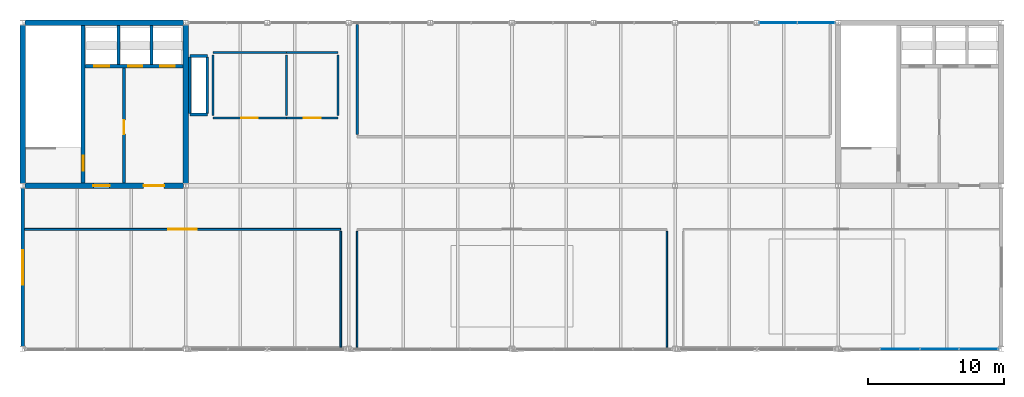
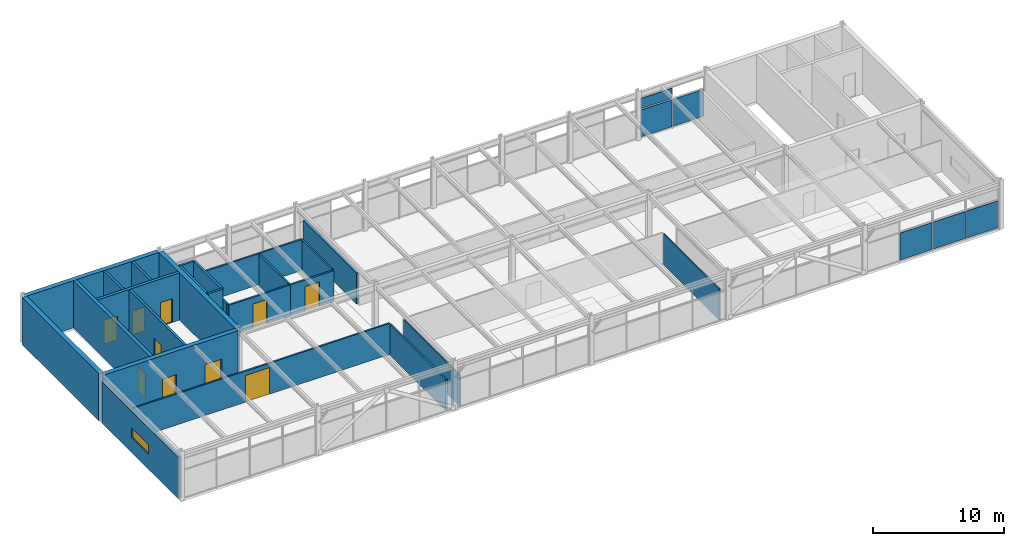
# One storey, part 26 of 28: 26 walls, 10 doors, 6 plates, 1 window, 11 openings, 2 elements without a shape of their own.
"""IFC4 building model written with IfcOpenShell, lengths in metres."""

import ifcopenshell
import ifcopenshell.guid

model = None  # the IFC model being written
_history = None  # IfcOwnerHistory: only IFC2X3 demands one
_inside = {}  # id of a spatial element -> (the spatial element, [elements in it])
_under = {}  # id of a project, library or spatial element -> (it, [spatial elements below it])
_declared = {}  # id of a project -> (the project, [libraries it declares])
_typed = {}  # id of a type object -> (the type object, [elements of that type])
_made_of = {}  # id of a material, layer set ... -> (it, [elements and type objects made of it])


def new_model(schema):
    """Start an empty IFC model of exactly this schema.

    Asked for "IFC4X3", IfcOpenShell would pick the latest addendum, in which some entities
    have other attributes; the version numbers below select the first issue.
    IFC2X3 requires an IfcOwnerHistory on every rooted entity: one is made here for all.
    """
    global model, _history
    if schema == "IFC4X3":
        model = ifcopenshell.file(schema_version=(4, 3, 0, 0))
    else:
        model = ifcopenshell.file(schema=schema)
    _inside.clear()
    _under.clear()
    _declared.clear()
    _typed.clear()
    _made_of.clear()
    _history = None
    if model.schema == "IFC2X3":
        org = make("IfcOrganization", Name="unknown")
        user = make(
            "IfcPersonAndOrganization",
            ThePerson=make("IfcPerson", FamilyName="unknown"),
            TheOrganization=org,
        )
        app = make(
            "IfcApplication",
            ApplicationDeveloper=org,
            Version="unknown",
            ApplicationFullName="unknown",
            ApplicationIdentifier="unknown",
        )
        _history = make(
            "IfcOwnerHistory",
            OwningUser=user,
            OwningApplication=app,
            ChangeAction="ADDED",
            CreationDate=0,
        )
    return model


def make(cls, **values):
    """One entity of the class cls with the attributes given. An attribute that is None is left unset."""
    return model.create_entity(
        cls, **{name: value for name, value in values.items() if value is not None}
    )


def rooted(cls, **values):
    """An entity with a GlobalId (a new one), such as an element, a storey or a relation."""
    return make(cls, GlobalId=ifcopenshell.guid.new(), OwnerHistory=_history, **values)


def si_unit(unit_type, name, prefix=None):
    """IfcSIUnit, for example si_unit("LENGTHUNIT", "METRE", prefix="MILLI")."""
    return make("IfcSIUnit", UnitType=unit_type, Prefix=prefix, Name=name)


def assignment(units):
    """IfcUnitAssignment: the units of a project."""
    return None if units is None else make("IfcUnitAssignment", Units=units)


def point(xyz):
    """IfcCartesianPoint."""
    return None if xyz is None else make("IfcCartesianPoint", Coordinates=xyz)


def direction(xyz):
    """IfcDirection."""
    return None if xyz is None else make("IfcDirection", DirectionRatios=xyz)


def frame(location, z_axis=None, x_axis=None):
    """IfcAxis2Placement3D, a coordinate frame: its origin and axes. An axis left out is left unset."""
    return make(
        "IfcAxis2Placement3D",
        Location=point(location),
        Axis=direction(z_axis),
        RefDirection=direction(x_axis),
    )


def frame_2d(location, x_axis=None):
    """IfcAxis2Placement2D, a coordinate frame in the plane: its origin and x axis."""
    return make(
        "IfcAxis2Placement2D", Location=point(location), RefDirection=direction(x_axis)
    )


def origin():
    """The frame at (0, 0, 0) with its axes left unset."""
    return frame((0.0, 0.0, 0.0))


def origin_2d():
    """The frame at (0, 0) in the plane with its x axis left unset."""
    return frame_2d((0.0, 0.0))


def place(relative_to, where):
    """IfcLocalPlacement: puts the frame where relative to a parent placement (None: the world)."""
    return make(
        "IfcLocalPlacement", PlacementRelTo=relative_to, RelativePlacement=where
    )


def context(
    kind, dimensions, precision=None, world=None, true_north=None, identifier=None
):
    """IfcGeometricRepresentationContext, for example the 3D "Model" context."""
    return make(
        "IfcGeometricRepresentationContext",
        ContextIdentifier=identifier,
        ContextType=kind,
        CoordinateSpaceDimension=dimensions,
        Precision=precision,
        WorldCoordinateSystem=world,
        TrueNorth=true_north,
    )


def subcontext(parent, identifier, kind, view, scale=None):
    """IfcGeometricRepresentationSubContext, for example "Body" below "Model"."""
    return make(
        "IfcGeometricRepresentationSubContext",
        ContextIdentifier=identifier,
        ContextType=kind,
        ParentContext=parent,
        TargetScale=scale,
        TargetView=view,
    )


def project(units=None, contexts=None):
    """IfcProject with its units and contexts."""
    return rooted(
        "IfcProject",
        Name="project",
        RepresentationContexts=contexts,
        UnitsInContext=assignment(units),
    )


def spatial(cls, under=None, at=None, **own):
    """A site, building, storey or space (cls), placed at a placement, below another one or the project."""
    s = rooted(cls, ObjectPlacement=at, **own)
    if under is not None:
        _under.setdefault(under.id(), (under, []))[1].append(s)
    return s


def profile(cls, at=None, kind="AREA", **sizes):
    """A parametric profile (cls). Its sizes go by their IFC names, for example OverallWidth=200.0."""
    return make(cls, ProfileType=kind, Position=at, **sizes)


def rectangle(**sizes):
    """IfcRectangleProfileDef."""
    return profile("IfcRectangleProfileDef", **sizes)


def extrude(swept, where, along, depth):
    """IfcExtrudedAreaSolid: the profile swept, set in the frame where, extruded along a direction by depth."""
    return make(
        "IfcExtrudedAreaSolid",
        SweptArea=swept,
        Position=where,
        ExtrudedDirection=direction(along),
        Depth=depth,
    )


def shape(context_of_items, identifier, shape_type, items):
    """IfcShapeRepresentation: the items that make up one representation, for example the "Body"."""
    return make(
        "IfcShapeRepresentation",
        ContextOfItems=context_of_items,
        RepresentationIdentifier=identifier,
        RepresentationType=shape_type,
        Items=items,
    )


def material(Name=None, Category=None):
    """IfcMaterial."""
    return make("IfcMaterial", Name=Name, Category=Category)


def layer(
    of_material, thickness, ventilated=None, Name=None, Category=None, Priority=None
):
    """IfcMaterialLayer: one layer of a wall or slab, of a material (None: an air gap)."""
    return make(
        "IfcMaterialLayer",
        Material=of_material,
        LayerThickness=thickness,
        IsVentilated=ventilated,
        Name=Name,
        Category=Category,
        Priority=Priority,
    )


def layer_set(layers, Name=None):
    """IfcMaterialLayerSet."""
    return make("IfcMaterialLayerSet", MaterialLayers=layers, LayerSetName=Name)


def made_of(thing, what):
    """Note that an element or type object is made of a material, layer set ...; save() writes the relation."""
    if what is not None:
        _made_of.setdefault(what.id(), (what, []))[1].append(thing)
    return thing


def type_object(cls, material=None, **own):
    """A type object (cls), such as IfcWallType, which elements share."""
    return made_of(rooted(cls, **own), material)


def element(
    cls,
    number,
    at=None,
    inside=None,
    cuts=None,
    type_object=None,
    material=None,
    context=None,
    identifier="Body",
    shape_type=None,
    held_by="IfcProductDefinitionShape",
    body=None,
    shapes=None,
    **own,
):
    """One element of the class cls, such as IfcWall. Its Tag is "e" and its number.

    at: its placement. inside: the storey or other place that contains it. cuts: it is an
    opening in that element (IfcRelVoidsElement). A single representation is given by context,
    identifier, shape_type and body (its items); several are given by shapes. held_by: the class
    of the entity that holds the representations. save() writes the other relations.
    """
    e = rooted(cls, Tag="e%d" % number, ObjectPlacement=at, **own)
    if body is not None:
        shapes = [shape(context, identifier, shape_type, body)]
    if shapes is not None:
        e.Representation = make(held_by, Representations=shapes)
    if inside is not None:
        _inside.setdefault(inside.id(), (inside, []))[1].append(e)
    if cuts is not None:
        rooted(
            "IfcRelVoidsElement", RelatingBuildingElement=cuts, RelatedOpeningElement=e
        )
    if type_object is not None:
        _typed.setdefault(type_object.id(), (type_object, []))[1].append(e)
    return made_of(e, material)


def fill(opening, filler):
    """IfcRelFillsElement: the door or window that sits in an opening."""
    return rooted(
        "IfcRelFillsElement",
        RelatingOpeningElement=opening,
        RelatedBuildingElement=filler,
    )


def aggregate(whole, parts):
    """IfcRelAggregates: a whole, such as a stair, and the parts it consists of."""
    return rooted("IfcRelAggregates", RelatingObject=whole, RelatedObjects=parts)


def save(model, path):
    """Write the relations noted so far, then the file.

    IfcRelAggregates (storeys below a building ...), IfcRelContainedInSpatialStructure (elements
    in a storey), IfcRelDefinesByType, IfcRelAssociatesMaterial and IfcRelDeclares: one each for
    every whole, place, type object, material and project.
    """
    for whole, parts in _under.values():
        aggregate(whole, parts)
    for where, things in _inside.values():
        rooted(
            "IfcRelContainedInSpatialStructure",
            RelatedElements=things,
            RelatingStructure=where,
        )
    for kind, things in _typed.values():
        rooted("IfcRelDefinesByType", RelatedObjects=things, RelatingType=kind)
    for what, things in _made_of.values():
        rooted("IfcRelAssociatesMaterial", RelatedObjects=things, RelatingMaterial=what)
    for by, libraries in _declared.values():
        rooted("IfcRelDeclares", RelatingContext=by, RelatedDefinitions=libraries)
    model.write(path)


model = new_model("IFC4")

# Units and contexts
model_context = context("Model", 3, precision=1e-05, world=origin(), true_north=direction((0.0, 1.0)))
body_context = subcontext(model_context, "Body", "Model", "MODEL_VIEW")
ifc_project = project(units=[si_unit("LENGTHUNIT", "METRE"), si_unit("AREAUNIT", "SQUARE_METRE"), si_unit("VOLUMEUNIT", "CUBIC_METRE"), si_unit("PLANEANGLEUNIT", "RADIAN"), si_unit("MASSUNIT", "GRAM", prefix="KILO")], contexts=[model_context])

# Site, building, storey
site_placement = place(None, origin())
site = spatial("IfcSite", under=ifc_project, at=site_placement, CompositionType="ELEMENT")
building_placement = place(site_placement, origin())
building = spatial("IfcBuilding", under=site, at=building_placement, Name="Girod Span Mobility Hub", CompositionType="ELEMENT")
storey_placement = place(building_placement, frame((0.0, 0.0, 69.60009765625)))
storey = spatial("IfcBuildingStorey", under=building, at=storey_placement, Name="L17", CompositionType="ELEMENT", Elevation=69.60009765625)

# Curtain wall, plates
ifc_material_1 = material(Name="Thermally Broken Anodised Aluminium", Category="aluminium")
curtain_wall_type_1 = type_object("IfcCurtainWallType", Name="CW-564X384", PredefinedType="USERDEFINED", material=ifc_material_1)
curtain_wall_1_placement = place(storey_placement, origin())
curtain_wall_1 = element("IfcCurtainWall", 1, at=curtain_wall_1_placement, inside=storey, type_object=curtain_wall_type_1, Name="Unitised Curtain Wall CW-L17-N09E L17", ObjectType="UNITISED CURTAIN WALL", PredefinedType="USERDEFINED")
ifc_material_2 = material(Name="Double Low-E Insulated Glazing", Category="glass")
ifc_layer_1 = layer(ifc_material_2, 0.05810546875)
ifc_layer_set_1 = layer_set([ifc_layer_1], Name="Double Low-E Insulated Glazing")
plate_type_1 = type_object("IfcPlateType", Name="PLT-SPN-2748X994X58", PredefinedType="CURTAIN_PANEL", material=ifc_layer_set_1)
plate_1_placement = place(storey_placement, frame((103.59130859375, 69.0, 2.76171875), z_axis=(0.0, 0.0, 1.0), x_axis=(1.0, 0.0, 0.0)))
plate_1 = element("IfcPlate", 2, at=plate_1_placement, type_object=plate_type_1, Name="Spandrel Glazing Panel CW-L17-N09E-S1", PredefinedType="CURTAIN_PANEL", context=body_context, shape_type="SweptSolid", body=[
    extrude(rectangle(XDim=2.75341796875, YDim=0.05810546875, at=origin_2d()), origin(), (0.0, 0.0, 1.0), 0.9541015625),
])
ifc_material_3 = material(Name="Double Low-E Insulated Glazing", Category="glass")
ifc_layer_2 = layer(ifc_material_3, 0.0458984375)
ifc_layer_set_2 = layer_set([ifc_layer_2], Name="Double Low-E Insulated Glazing")
plate_type_2 = type_object("IfcPlateType", Name="PLT-VIS-2748X2762X46", PredefinedType="CURTAIN_PANEL", material=ifc_layer_set_2)
plate_2_placement = place(storey_placement, frame((103.59130859375, 69.0, 0.139892578125), z_axis=(0.0, 0.0, 1.0), x_axis=(1.0, 0.0, 0.0)))
plate_2 = element("IfcPlate", 3, at=plate_2_placement, type_object=plate_type_2, Name="Vision Glazing Panel CW-L17-N09E-V1", PredefinedType="CURTAIN_PANEL", context=body_context, shape_type="SweptSolid", body=[
    extrude(rectangle(XDim=2.75341796875, YDim=0.0458984375, at=origin_2d()), origin(), (0.0, 0.0, 1.0), 2.501953125),
])
plate_3_placement = place(storey_placement, frame((106.40869140625, 69.0, 0.139892578125), z_axis=(0.0, 0.0, 1.0), x_axis=(1.0, 0.0, 0.0)))
plate_3 = element("IfcPlate", 4, at=plate_3_placement, type_object=plate_type_2, Name="Vision Glazing Panel CW-L17-N09E-V2", PredefinedType="CURTAIN_PANEL", context=body_context, shape_type="SweptSolid", body=[
    extrude(rectangle(XDim=2.75341796875, YDim=0.0458984375, at=origin_2d()), origin(), (0.0, 0.0, 1.0), 2.501953125),
])
aggregate(curtain_wall_1, [plate_2, plate_1, plate_3])

ifc_material_4 = material(Name="Thermally Broken Anodised Aluminium", Category="aluminium")
curtain_wall_type_2 = type_object("IfcCurtainWallType", Name="CW-1164X384", PredefinedType="USERDEFINED", material=ifc_material_4)
curtain_wall_2_placement = place(storey_placement, origin())
curtain_wall_2 = element("IfcCurtainWall", 5, at=curtain_wall_2_placement, inside=storey, type_object=curtain_wall_type_2, Name="Unitised Curtain Wall CW-L17-S10 L17", ObjectType="UNITISED CURTAIN WALL", PredefinedType="USERDEFINED")
ifc_material_5 = material(Name="Double Low-E Insulated Glazing", Category="glass")
ifc_layer_3 = layer(ifc_material_5, 0.0458984375)
ifc_layer_set_3 = layer_set([ifc_layer_3], Name="Double Low-E Insulated Glazing")
plate_type_3 = type_object("IfcPlateType", Name="PLT-VIS-2839X2762X46", PredefinedType="CURTAIN_PANEL", material=ifc_layer_set_3)
plate_4_placement = place(storey_placement, frame((112.545654296875, 45.0, 0.139892578125), z_axis=(0.0, 0.0, 1.0), x_axis=(1.0, 0.0, 0.0)))
plate_4 = element("IfcPlate", 6, at=plate_4_placement, type_object=plate_type_3, Name="Vision Glazing Panel CW-L17-S10-V2", PredefinedType="CURTAIN_PANEL", context=body_context, shape_type="SweptSolid", body=[
    extrude(rectangle(XDim=2.8447265625, YDim=0.0458984375, at=origin_2d()), origin(), (0.0, 0.0, 1.0), 2.501953125),
])
plate_5_placement = place(storey_placement, frame((115.454345703125, 45.0, 0.139892578125), z_axis=(0.0, 0.0, 1.0), x_axis=(1.0, 0.0, 0.0)))
plate_5 = element("IfcPlate", 7, at=plate_5_placement, type_object=plate_type_3, Name="Vision Glazing Panel CW-L17-S10-V3", PredefinedType="CURTAIN_PANEL", context=body_context, shape_type="SweptSolid", body=[
    extrude(rectangle(XDim=2.8447265625, YDim=0.0458984375, at=origin_2d()), origin(), (0.0, 0.0, 1.0), 2.501953125),
])
plate_6_placement = place(storey_placement, frame((118.363037109375, 45.0, 0.139892578125), z_axis=(0.0, 0.0, 1.0), x_axis=(1.0, 0.0, 0.0)))
plate_6 = element("IfcPlate", 8, at=plate_6_placement, type_object=plate_type_3, Name="Vision Glazing Panel CW-L17-S10-V4", PredefinedType="CURTAIN_PANEL", context=body_context, shape_type="SweptSolid", body=[
    extrude(rectangle(XDim=2.8447265625, YDim=0.0458984375, at=origin_2d()), origin(), (0.0, 0.0, 1.0), 2.501953125),
])
aggregate(curtain_wall_2, [plate_4, plate_5, plate_6])

# Wall, openings, doors
ifc_material_6 = material(Name="Concrete C40/50", Category="concrete")
ifc_layer_4 = layer(ifc_material_6, 0.39990234375)
ifc_layer_set_4 = layer_set([ifc_layer_4], Name="Concrete C40/50")
wall_type_1 = type_object("IfcWallType", Name="W-CW-400", PredefinedType="SHEAR", material=ifc_layer_set_4)
wall_1_placement = place(storey_placement, frame((48.181396484375, 57.0, 0.0), z_axis=(0.0, 0.0, 1.0), x_axis=(1.0, 0.0, 0.0)))
wall_1 = element("IfcWall", 9, at=wall_1_placement, inside=storey, type_object=wall_type_1, Name="Core C1 Shear Wall S L17", PredefinedType="SHEAR", context=body_context, shape_type="SweptSolid", body=[
    extrude(rectangle(XDim=11.63720703125, YDim=0.39990234375, at=frame_2d((5.818603515625, 0.0))), origin(), (0.0, 0.0, 1.0), 4.3828125),
])
opening_1_placement = place(wall_1_placement, frame((5.01904296875, 0.0, 0.0)))
opening_1 = element("IfcOpeningElement", 10, at=opening_1_placement, cuts=wall_1, Name="Opening D-FL-C1-L17", PredefinedType="OPENING", context=body_context, shape_type="SweptSolid", body=[
    extrude(rectangle(XDim=1.199951171875, YDim=2.199951171875, at=frame_2d((0.60009765625, 1.10009765625))), frame((0.0, 0.21484375, 0.0), z_axis=(0.0, -1.0, 0.0), x_axis=(1.0, 0.0, 0.0)), (0.0, 0.0, 1.0), 0.429931640625),
])
opening_2_placement = place(wall_1_placement, frame((8.718017578125, 0.0, 0.0)))
opening_2 = element("IfcOpeningElement", 11, at=opening_2_placement, cuts=wall_1, Name="Opening D-LB-C1-L17", PredefinedType="OPENING", context=body_context, shape_type="SweptSolid", body=[
    extrude(rectangle(XDim=1.5, YDim=2.25, at=frame_2d((0.75, 1.125))), frame((0.0, 0.21484375, 0.0), z_axis=(0.0, -1.0, 0.0), x_axis=(1.0, 0.0, 0.0)), (0.0, 0.0, 1.0), 0.429931640625),
])
ifc_material_7 = material(Name="Fire-Rated Insulated Hollow Metal Steel", Category="steel")
door_type_1 = type_object("IfcDoorType", Name="DT-FD-03", OperationType="DOUBLE_DOOR_SINGLE_SWING", PredefinedType="DOOR", material=ifc_material_7)
door_1_placement = place(opening_2_placement, origin())
door_1 = element("IfcDoor", 12, at=door_1_placement, inside=storey, type_object=door_type_1, Name="Lift Lobby Entry Door C1 L17", OperationType="DOUBLE_DOOR_SINGLE_SWING", OverallHeight=2.25, OverallWidth=1.5, PredefinedType="DOOR", context=body_context, shape_type="SweptSolid", body=[
    extrude(rectangle(XDim=1.5, YDim=2.25, at=frame_2d((0.75, 1.125))), frame((0.0, 0.02490234375, 0.0), z_axis=(0.0, -1.0, 0.0), x_axis=(1.0, 0.0, 0.0)), (0.0, 0.0, 1.0), 0.050048828125),
])
fill(opening_2, door_1)
ifc_material_8 = material(Name="Fire-Rated Insulated Hollow Metal Steel", Category="steel")
door_type_2 = type_object("IfcDoorType", Name="DT-FD-05", OperationType="NOTDEFINED", PredefinedType="DOOR", material=ifc_material_8)
door_2_placement = place(opening_1_placement, origin())
door_2 = element("IfcDoor", 13, at=door_2_placement, inside=storey, type_object=door_type_2, Name="Firefighting Lobby Entry Door C1 L17", OperationType="SINGLE_SWING_RIGHT", OverallHeight=2.199951171875, OverallWidth=1.199951171875, PredefinedType="DOOR", context=body_context, shape_type="SweptSolid", body=[
    extrude(rectangle(XDim=1.199951171875, YDim=2.199951171875, at=frame_2d((0.60009765625, 1.10009765625))), frame((0.0, 0.02490234375, 0.0), z_axis=(0.0, -1.0, 0.0), x_axis=(1.0, 0.0, 0.0)), (0.0, 0.0, 1.0), 0.050048828125),
])
fill(opening_1, door_2)

# Walls
wall_2_placement = place(storey_placement, frame((48.181396484375, 69.0, 0.0), z_axis=(0.0, 0.0, 1.0), x_axis=(1.0, 0.0, 0.0)))
element("IfcWall", 14, at=wall_2_placement, inside=storey, type_object=wall_type_1, Name="Core C1 Shear Wall N L17", PredefinedType="SHEAR", context=body_context, shape_type="SweptSolid", body=[
    extrude(rectangle(XDim=11.63720703125, YDim=0.39990234375, at=frame_2d((5.818603515625, 0.0))), origin(), (0.0, 0.0, 1.0), 4.3828125),
])
for number, where, z_axis, x_axis, name in (
    (15, (48.0, 57.175048828125, 0.0), (0.0, 0.0, 1.0), (0.0, 1.0, 0.0), "Core C1 Shear Wall W L17"),
    (16, (60.0, 57.175048828125, 0.0), (0.0, 0.0, 1.0), (0.0, 1.0, 0.0), "Core C1 Shear Wall E L17"),
):
    element("IfcWall", number, at=place(storey_placement, frame(where, z_axis=z_axis, x_axis=x_axis)), inside=storey, type_object=wall_type_1, Name=name, PredefinedType="SHEAR", context=body_context, shape_type="SweptSolid", body=[
        extrude(rectangle(XDim=11.64990234375, YDim=0.39990234375, at=frame_2d((5.824951171875, 0.0))), origin(), (0.0, 0.0, 1.0), 4.3828125),
    ])

# Wall, opening, window
ifc_material_9 = material(Name="Precast Architectural Concrete C40/50", Category="concrete")
ifc_layer_5 = layer(ifc_material_9, 0.27001953125)
ifc_layer_set_5 = layer_set([ifc_layer_5], Name="Precast Architectural Concrete C40/50")
wall_type_2 = type_object("IfcWallType", Name="W-EXT-270", PredefinedType="SOLIDWALL", material=ifc_layer_set_5)
wall_3_placement = place(storey_placement, frame((48.0, 45.176025390625, 0.0), z_axis=(0.0, 0.0, 1.0), x_axis=(0.0, 1.0, 0.0)))
wall_3 = element("IfcWall", 17, at=wall_3_placement, inside=storey, type_object=wall_type_2, Name="End Facade Insulated Wall W-D L17", PredefinedType="SOLIDWALL", context=body_context, shape_type="SweptSolid", body=[
    extrude(rectangle(XDim=11.64794921875, YDim=0.27001953125, at=frame_2d((5.823974609375, 0.0))), origin(), (0.0, 0.0, 1.0), 3.8359375),
])
opening_3_placement = place(wall_3_placement, frame((4.549072265625, 0.0, 1.39990234375)))
opening_3 = element("IfcOpeningElement", 18, at=opening_3_placement, cuts=wall_3, Name="Opening W-L17-W3", PredefinedType="OPENING", context=body_context, shape_type="SweptSolid", body=[
    extrude(rectangle(XDim=2.550048828125, YDim=0.8798828125, at=frame_2d((1.27490234375, 0.43994140625))), frame((0.0, 0.14990234375, 0.0), z_axis=(0.0, -1.0, 0.0), x_axis=(1.0, 0.0, 0.0)), (0.0, 0.0, 1.0), 0.300048828125),
])
ifc_material_10 = material(Name="Double Low-E Insulated Glazing", Category="glass")
window_type = type_object("IfcWindowType", Name="WN-46", PartitioningType="DOUBLE_PANEL_VERTICAL", PredefinedType="USERDEFINED", material=ifc_material_10)
window_placement = place(opening_3_placement, origin())
window = element("IfcWindow", 19, at=window_placement, inside=storey, type_object=window_type, Name="End Office Window WN-46", ObjectType="TRANSOM LIGHT", OverallHeight=0.8798828125, OverallWidth=2.550048828125, PartitioningType="DOUBLE_PANEL_VERTICAL", PredefinedType="USERDEFINED", context=body_context, shape_type="SweptSolid", body=[
    extrude(rectangle(XDim=2.550048828125, YDim=0.8798828125, at=frame_2d((1.27490234375, 0.43994140625))), frame((0.0, 0.030029296875, 0.0), z_axis=(0.0, -1.0, 0.0), x_axis=(1.0, 0.0, 0.0)), (0.0, 0.0, 1.0), 0.06005859375),
])
fill(opening_3, window)

# Wall, opening, door
ifc_material_11 = material(Name="Concrete C40/50", Category="concrete")
ifc_layer_6 = layer(ifc_material_11, 0.18994140625)
ifc_layer_set_6 = layer_set([ifc_layer_6], Name="Concrete C40/50")
wall_type_3 = type_object("IfcWallType", Name="W-FL-190", PredefinedType="SOLIDWALL", material=ifc_layer_set_6)
wall_4_placement = place(storey_placement, frame((55.449951171875, 57.199951171875, 0.0), z_axis=(0.0, 0.0, 1.0), x_axis=(0.0, 1.0, 0.0)))
wall_4 = element("IfcWall", 20, at=wall_4_placement, inside=storey, type_object=wall_type_3, Name="Core C1 Firefighting Lobby Wall L17", PredefinedType="SOLIDWALL", context=body_context, shape_type="SweptSolid", body=[
    extrude(rectangle(XDim=8.47998046875, YDim=0.18994140625, at=frame_2d((4.239990234375, 0.0))), origin(), (0.0, 0.0, 1.0), 4.372802734375),
])
opening_4_placement = place(wall_4_placement, frame((3.60009765625, 0.0, 0.0)))
opening_4 = element("IfcOpeningElement", 21, at=opening_4_placement, cuts=wall_4, Name="Opening D-FLX-C1-L17", PredefinedType="OPENING", context=body_context, shape_type="SweptSolid", body=[
    extrude(rectangle(XDim=1.0400390625, YDim=2.179931640625, at=frame_2d((0.52001953125, 1.08984375))), frame((0.0, 0.10986328125, 0.0), z_axis=(0.0, -1.0, 0.0), x_axis=(1.0, 0.0, 0.0)), (0.0, 0.0, 1.0), 0.219970703125),
])
ifc_material_12 = material(Name="Fire-Rated Insulated Hollow Metal Steel", Category="steel")
door_type_3 = type_object("IfcDoorType", Name="DT-FD-02", OperationType="NOTDEFINED", PredefinedType="DOOR", material=ifc_material_12)
door_3_placement = place(opening_4_placement, origin())
door_3 = element("IfcDoor", 22, at=door_3_placement, inside=storey, type_object=door_type_3, Name="Firefighting Lobby Interconnect Door C1 L17", OperationType="SINGLE_SWING_RIGHT", OverallHeight=2.179931640625, OverallWidth=1.0400390625, PredefinedType="DOOR", context=body_context, shape_type="SweptSolid", body=[
    extrude(rectangle(XDim=1.0400390625, YDim=2.179931640625, at=frame_2d((0.52001953125, 1.08984375))), frame((0.0, 0.02490234375, 0.0), z_axis=(0.0, -1.0, 0.0), x_axis=(1.0, 0.0, 0.0)), (0.0, 0.0, 1.0), 0.050048828125),
])
fill(opening_4, door_3)

# Walls
ifc_material_13 = material(Name="Reinforced Concrete Masonry Block", Category="masonry")
ifc_layer_7 = layer(ifc_material_13, 0.179931640625)
ifc_layer_set_7 = layer_set([ifc_layer_7], Name="Reinforced Concrete Masonry Block")
wall_type_4 = type_object("IfcWallType", Name="W-FP-180", PredefinedType="SOLIDWALL", material=ifc_layer_set_7)
wall_5_placement = place(storey_placement, frame((72.60009765625, 60.760009765625, 0.0), z_axis=(0.0, 0.0, 1.0), x_axis=(0.0, 1.0, 0.0)))
element("IfcWall", 23, at=wall_5_placement, inside=storey, type_object=wall_type_4, Name="Chiller Plant Penthouse Mechanical Partition W", PredefinedType="SOLIDWALL", context=body_context, shape_type="SweptSolid", body=[
    extrude(rectangle(XDim=8.10009765625, YDim=0.179931640625, at=frame_2d((4.050048828125, 0.0))), origin(), (0.0, 0.0, 1.0), 2.8798828125),
])
ifc_material_14 = material(Name="Gypsum Acoustic Operable Panel on Galvanised Steel Framing", Category="steel")
ifc_layer_8 = layer(ifc_material_14, 0.10791015625)
ifc_layer_set_8 = layer_set([ifc_layer_8], Name="Gypsum Acoustic Operable Panel on Galvanised Steel Framing")
wall_type_5 = type_object("IfcWallType", Name="W-MOV-108", PredefinedType="MOVABLE", material=ifc_layer_set_8)
for number, where, z_axis, x_axis, name in (
    (24, (72.60009765625, 45.139892578125, 0.0), (0.0, 0.0, 1.0), (0.0, 1.0, 0.0), "Boardroom Civic Mobility Commission Partition W"),
    (25, (95.39990234375, 45.139892578125, 0.0), (0.0, 0.0, 1.0), (0.0, 1.0, 0.0), "Boardroom Civic Mobility Commission Partition E"),
):
    element("IfcWall", number, at=place(storey_placement, frame(where, z_axis=z_axis, x_axis=x_axis)), inside=storey, type_object=wall_type_5, Name=name, PredefinedType="MOVABLE", context=body_context, shape_type="SweptSolid", body=[
        extrude(rectangle(XDim=8.5, YDim=0.10791015625, at=frame_2d((4.25, 0.0))), origin(), (0.0, 0.0, 1.0), 2.8798828125),
    ])

# Wall, opening, door
ifc_material_15 = material(Name="Fire-Rated Gypsum Board on Metal Studs", Category="gypsum")
ifc_layer_9 = layer(ifc_material_15, 0.155029296875)
ifc_layer_set_9 = layer_set([ifc_layer_9], Name="Fire-Rated Gypsum Board on Metal Studs")
wall_type_6 = type_object("IfcWallType", Name="W-PLB-155", PredefinedType="PLUMBINGWALL", material=ifc_layer_set_9)
wall_6_placement = place(storey_placement, frame((62.0, 62.0, 0.0), z_axis=(0.0, 0.0, 1.0), x_axis=(1.0, 0.0, 0.0)))
wall_6 = element("IfcWall", 26, at=wall_6_placement, inside=storey, type_object=wall_type_6, Name="Restroom L17 Partition S", PredefinedType="PLUMBINGWALL", context=body_context, shape_type="SweptSolid", body=[
    extrude(rectangle(XDim=5.39990234375, YDim=0.155029296875, at=frame_2d((2.699951171875, 0.0))), origin(), (0.0, 0.0, 1.0), 2.8798828125),
])
opening_5_placement = place(wall_6_placement, frame((2.094970703125, 0.0, 0.0)))
opening_5 = element("IfcOpeningElement", 27, at=opening_5_placement, cuts=wall_6, Name="Opening D-L17-WC-MAIN", PredefinedType="OPENING", context=body_context, shape_type="SweptSolid", body=[
    extrude(rectangle(XDim=1.2099609375, YDim=2.25, at=frame_2d((0.60498046875, 1.125))), frame((0.0, 0.092529296875, 0.0), z_axis=(0.0, -1.0, 0.0), x_axis=(1.0, 0.0, 0.0)), (0.0, 0.0, 1.0), 0.18505859375),
])
ifc_material_16 = material(Name="Solid-Core Architectural Timber", Category="wood")
door_type_4 = type_object("IfcDoorType", Name="DT-NR-08", OperationType="NOTDEFINED", PredefinedType="DOOR", material=ifc_material_16)
door_4_placement = place(opening_5_placement, origin())
door_4 = element("IfcDoor", 28, at=door_4_placement, inside=storey, type_object=door_type_4, Name="Restroom L17 Door", OperationType="SINGLE_SWING_RIGHT", OverallHeight=2.25, OverallWidth=1.2099609375, PredefinedType="DOOR", context=body_context, shape_type="SweptSolid", body=[
    extrude(rectangle(XDim=1.2099609375, YDim=2.25, at=frame_2d((0.60498046875, 1.125))), frame((0.0, 0.02490234375, 0.0), z_axis=(0.0, -1.0, 0.0), x_axis=(1.0, 0.0, 0.0)), (0.0, 0.0, 1.0), 0.050048828125),
])
fill(opening_5, door_4)

# Walls
wall_7_placement = place(storey_placement, frame((62.0, 66.800048828125, 0.0), z_axis=(0.0, 0.0, 1.0), x_axis=(1.0, 0.0, 0.0)))
element("IfcWall", 29, at=wall_7_placement, inside=storey, type_object=wall_type_6, Name="Restroom L17 Partition N", PredefinedType="PLUMBINGWALL", context=body_context, shape_type="SweptSolid", body=[
    extrude(rectangle(XDim=5.39990234375, YDim=0.155029296875, at=frame_2d((2.699951171875, 0.0))), origin(), (0.0, 0.0, 1.0), 2.8798828125),
])
for number, where, z_axis, x_axis, name in (
    (30, (62.0, 62.159912109375, 0.0), (0.0, 0.0, 1.0), (0.0, 1.0, 0.0), "Restroom L17 Partition W"),
    (31, (67.39990234375, 62.159912109375, 0.0), (0.0, 0.0, 1.0), (0.0, 1.0, 0.0), "Restroom L17 Partition E"),
):
    element("IfcWall", number, at=place(storey_placement, frame(where, z_axis=z_axis, x_axis=x_axis)), inside=storey, type_object=wall_type_6, Name=name, PredefinedType="PLUMBINGWALL", context=body_context, shape_type="SweptSolid", body=[
        extrude(rectangle(XDim=4.47998046875, YDim=0.155029296875, at=frame_2d((2.239990234375, 0.0))), origin(), (0.0, 0.0, 1.0), 2.8798828125),
    ])

# Wall, opening, door
wall_8_placement = place(storey_placement, frame((67.39990234375, 62.0, 0.0), z_axis=(0.0, 0.0, 1.0), x_axis=(1.0, 0.0, 0.0)))
wall_8 = element("IfcWall", 32, at=wall_8_placement, inside=storey, type_object=wall_type_6, Name="Accessible WC L17 Partition S", PredefinedType="PLUMBINGWALL", context=body_context, shape_type="SweptSolid", body=[
    extrude(rectangle(XDim=3.800048828125, YDim=0.155029296875, at=frame_2d((1.89990234375, 0.0))), origin(), (0.0, 0.0, 1.0), 2.8798828125),
])
opening_6_placement = place(wall_8_placement, frame((1.264892578125, 0.0, 0.0)))
opening_6 = element("IfcOpeningElement", 33, at=opening_6_placement, cuts=wall_8, Name="Opening D-L17-WC-ACC", PredefinedType="OPENING", context=body_context, shape_type="SweptSolid", body=[
    extrude(rectangle(XDim=1.27001953125, YDim=2.27001953125, at=frame_2d((0.635009765625, 1.135009765625))), frame((0.0, 0.092529296875, 0.0), z_axis=(0.0, -1.0, 0.0), x_axis=(1.0, 0.0, 0.0)), (0.0, 0.0, 1.0), 0.18505859375),
])
ifc_material_17 = material(Name="Solid-Core Architectural Timber", Category="wood")
door_type_5 = type_object("IfcDoorType", Name="DT-NR-09", OperationType="NOTDEFINED", PredefinedType="DOOR", material=ifc_material_17)
door_5_placement = place(opening_6_placement, origin())
door_5 = element("IfcDoor", 34, at=door_5_placement, inside=storey, type_object=door_type_5, Name="Accessible WC L17 Door", OperationType="SINGLE_SWING_LEFT", OverallHeight=2.27001953125, OverallWidth=1.27001953125, PredefinedType="DOOR", context=body_context, shape_type="SweptSolid", body=[
    extrude(rectangle(XDim=1.27001953125, YDim=2.27001953125, at=frame_2d((0.635009765625, 1.135009765625))), frame((0.0, 0.02490234375, 0.0), z_axis=(0.0, -1.0, 0.0), x_axis=(1.0, 0.0, 0.0)), (0.0, 0.0, 1.0), 0.050048828125),
])
fill(opening_6, door_5)

# Walls
wall_9_placement = place(storey_placement, frame((67.39990234375, 66.800048828125, 0.0), z_axis=(0.0, 0.0, 1.0), x_axis=(1.0, 0.0, 0.0)))
element("IfcWall", 35, at=wall_9_placement, inside=storey, type_object=wall_type_6, Name="Accessible WC L17 Partition N", PredefinedType="PLUMBINGWALL", context=body_context, shape_type="SweptSolid", body=[
    extrude(rectangle(XDim=3.800048828125, YDim=0.155029296875, at=frame_2d((1.89990234375, 0.0))), origin(), (0.0, 0.0, 1.0), 2.8798828125),
])
wall_10_placement = place(storey_placement, frame((71.199951171875, 62.159912109375, 0.0), z_axis=(0.0, 0.0, 1.0), x_axis=(0.0, 1.0, 0.0)))
element("IfcWall", 36, at=wall_10_placement, inside=storey, type_object=wall_type_6, Name="Accessible WC L17 Partition E", PredefinedType="PLUMBINGWALL", context=body_context, shape_type="SweptSolid", body=[
    extrude(rectangle(XDim=4.47998046875, YDim=0.155029296875, at=frame_2d((2.239990234375, 0.0))), origin(), (0.0, 0.0, 1.0), 2.8798828125),
])

# Wall, opening, door
ifc_material_18 = material(Name="Fire-Rated Gypsum Board on Metal Studs", Category="gypsum")
ifc_layer_10 = layer(ifc_material_18, 0.139892578125)
ifc_layer_set_10 = layer_set([ifc_layer_10], Name="Fire-Rated Gypsum Board on Metal Studs")
wall_type_7 = type_object("IfcWallType", Name="W-PT-140", PredefinedType="PARTITIONING", material=ifc_layer_set_10)
wall_11_placement = place(storey_placement, frame((48.139892578125, 53.800048828125, 0.0), z_axis=(0.0, 0.0, 1.0), x_axis=(1.0, 0.0, 0.0)))
wall_11 = element("IfcWall", 37, at=wall_11_placement, inside=storey, type_object=wall_type_7, Name="Observatory Lounge Boulevard View Partition N", PredefinedType="PARTITIONING", context=body_context, shape_type="SweptSolid", body=[
    extrude(rectangle(XDim=23.260009765625, YDim=0.139892578125, at=frame_2d((11.6298828125, 0.0))), origin(), (0.0, 0.0, 1.0), 2.8798828125),
])
opening_7_placement = place(wall_11_placement, frame((10.580078125, 0.0, 0.0)))
opening_7 = element("IfcOpeningElement", 38, at=opening_7_placement, cuts=wall_11, Name="Opening D-L17-OBS-W", PredefinedType="OPENING", context=body_context, shape_type="SweptSolid", body=[
    extrude(rectangle(XDim=2.10009765625, YDim=2.469970703125, at=frame_2d((1.050048828125, 1.23486328125))), frame((0.0, 0.0849609375, 0.0), z_axis=(0.0, -1.0, 0.0), x_axis=(1.0, 0.0, 0.0)), (0.0, 0.0, 1.0), 0.169921875),
])
ifc_material_19 = material(Name="Solid-Core Architectural Timber", Category="wood")
door_type_6 = type_object("IfcDoorType", Name="DT-NR-22", OperationType="DOUBLE_DOOR_SINGLE_SWING", PredefinedType="DOOR", material=ifc_material_19)
door_6_placement = place(opening_7_placement, origin())
door_6 = element("IfcDoor", 39, at=door_6_placement, inside=storey, type_object=door_type_6, Name="Observatory Lounge Boulevard View Door", OperationType="DOUBLE_DOOR_SINGLE_SWING", OverallHeight=2.469970703125, OverallWidth=2.10009765625, PredefinedType="DOOR", context=body_context, shape_type="SweptSolid", body=[
    extrude(rectangle(XDim=2.10009765625, YDim=2.469970703125, at=frame_2d((1.050048828125, 1.23486328125))), frame((0.0, 0.02490234375, 0.0), z_axis=(0.0, -1.0, 0.0), x_axis=(1.0, 0.0, 0.0)), (0.0, 0.0, 1.0), 0.050048828125),
])
fill(opening_7, door_6)

# Walls
wall_12_placement = place(storey_placement, frame((71.39990234375, 45.139892578125, 0.0), z_axis=(0.0, 0.0, 1.0), x_axis=(0.0, 1.0, 0.0)))
element("IfcWall", 40, at=wall_12_placement, inside=storey, type_object=wall_type_7, Name="Observatory Lounge Boulevard View Partition E", PredefinedType="PARTITIONING", context=body_context, shape_type="SweptSolid", body=[
    extrude(rectangle(XDim=8.5, YDim=0.139892578125, at=frame_2d((4.25, 0.0))), origin(), (0.0, 0.0, 1.0), 2.8798828125),
])
ifc_material_20 = material(Name="Concrete C40/50", Category="concrete")
ifc_layer_11 = layer(ifc_material_20, 0.199951171875)
ifc_layer_set_11 = layer_set([ifc_layer_11], Name="Concrete C40/50")
wall_type_8 = type_object("IfcWallType", Name="W-SH-200", PredefinedType="SOLIDWALL", material=ifc_layer_set_11)
for number, where, z_axis, x_axis, name in (
    (41, (60.297119140625, 62.25, 0.0), (0.0, 0.0, 1.0), (1.0, 0.0, 0.0), "Sanitary Wet Riser Shaft Wall S L17"),
    (42, (60.297119140625, 66.550048828125, 0.0), (0.0, 0.0, 1.0), (1.0, 0.0, 0.0), "Sanitary Wet Riser Shaft Wall N L17"),
):
    element("IfcWall", number, at=place(storey_placement, frame(where, z_axis=z_axis, x_axis=x_axis)), inside=storey, type_object=wall_type_8, Name=name, PredefinedType="SOLIDWALL", context=body_context, shape_type="SweptSolid", body=[
        extrude(rectangle(XDim=1.282958984375, YDim=0.199951171875, at=frame_2d((0.6416015625, 0.0))), origin(), (0.0, 0.0, 1.0), 4.3828125),
    ])
for number, where, z_axis, x_axis, name in (
    (43, (60.297119140625, 62.330078125, 0.0), (0.0, 0.0, 1.0), (0.0, 1.0, 0.0), "Sanitary Wet Riser Shaft Wall W L17"),
    (44, (61.580078125, 62.330078125, 0.0), (0.0, 0.0, 1.0), (0.0, 1.0, 0.0), "Sanitary Wet Riser Shaft Wall E L17"),
):
    element("IfcWall", number, at=place(storey_placement, frame(where, z_axis=z_axis, x_axis=x_axis)), inside=storey, type_object=wall_type_8, Name=name, PredefinedType="SOLIDWALL", context=body_context, shape_type="SweptSolid", body=[
        extrude(rectangle(XDim=4.139892578125, YDim=0.199951171875, at=frame_2d((2.06982421875, 0.0))), origin(), (0.0, 0.0, 1.0), 4.3828125),
    ])
for number, where, z_axis, x_axis, name in (
    (45, (55.050048828125, 65.919921875, 0.0), (0.0, 0.0, 1.0), (0.0, 1.0, 0.0), "Core C1 Shaft Divider 1 L17"),
    (46, (57.47998046875, 65.919921875, 0.0), (0.0, 0.0, 1.0), (0.0, 1.0, 0.0), "Core C1 Shaft Divider 2 L17"),
):
    element("IfcWall", number, at=place(storey_placement, frame(where, z_axis=z_axis, x_axis=x_axis)), inside=storey, type_object=wall_type_8, Name=name, PredefinedType="SOLIDWALL", context=body_context, shape_type="SweptSolid", body=[
        extrude(rectangle(XDim=2.880126953125, YDim=0.199951171875, at=frame_2d((1.43994140625, 0.0))), origin(), (0.0, 0.0, 1.0), 4.372802734375),
    ])

# Wall, openings, doors
ifc_material_21 = material(Name="Concrete C40/50", Category="concrete")
ifc_layer_12 = layer(ifc_material_21, 0.25)
ifc_layer_set_12 = layer_set([ifc_layer_12], Name="Concrete C40/50")
wall_type_9 = type_object("IfcWallType", Name="W-SH-250", PredefinedType="SOLIDWALL", material=ifc_layer_set_12)
wall_13_placement = place(storey_placement, frame((52.596923828125, 65.800048828125, 0.0), z_axis=(0.0, 0.0, 1.0), x_axis=(1.0, 0.0, 0.0)))
wall_13 = element("IfcWall", 47, at=wall_13_placement, inside=storey, type_object=wall_type_9, Name="Core C1 Hoistway Front Wall L17", PredefinedType="SOLIDWALL", context=body_context, shape_type="SweptSolid", body=[
    extrude(rectangle(XDim=7.2060546875, YDim=0.25, at=frame_2d((3.60302734375, 0.0))), origin(), (0.0, 0.0, 1.0), 4.3828125),
])
opening_8_placement = place(wall_13_placement, frame((0.653076171875, 0.0, 0.0)))
opening_8 = element("IfcOpeningElement", 48, at=opening_8_placement, cuts=wall_13, Name="Opening LD-FL-1-L17", PredefinedType="OPENING", context=body_context, shape_type="SweptSolid", body=[
    extrude(rectangle(XDim=1.10009765625, YDim=2.239990234375, at=frame_2d((0.550048828125, 1.1201171875))), frame((0.0, 0.139892578125, 0.0), z_axis=(0.0, -1.0, 0.0), x_axis=(1.0, 0.0, 0.0)), (0.0, 0.0, 1.0), 0.280029296875),
])
opening_9_placement = place(wall_13_placement, frame((3.153076171875, 0.0, 0.0)))
opening_9 = element("IfcOpeningElement", 49, at=opening_9_placement, cuts=wall_13, Name="Opening LD-LP-1-L17", PredefinedType="OPENING", context=body_context, shape_type="SweptSolid", body=[
    extrude(rectangle(XDim=1.050048828125, YDim=2.199951171875, at=frame_2d((0.52490234375, 1.10009765625))), frame((0.0, 0.139892578125, 0.0), z_axis=(0.0, -1.0, 0.0), x_axis=(1.0, 0.0, 0.0)), (0.0, 0.0, 1.0), 0.280029296875),
])
opening_10_placement = place(wall_13_placement, frame((5.528076171875, 0.0, 0.0)))
opening_10 = element("IfcOpeningElement", 50, at=opening_10_placement, cuts=wall_13, Name="Opening LD-LP-2-L17", PredefinedType="OPENING", context=body_context, shape_type="SweptSolid", body=[
    extrude(rectangle(XDim=1.050048828125, YDim=2.199951171875, at=frame_2d((0.52490234375, 1.10009765625))), frame((0.0, 0.139892578125, 0.0), z_axis=(0.0, -1.0, 0.0), x_axis=(1.0, 0.0, 0.0)), (0.0, 0.0, 1.0), 0.280029296875),
])
ifc_material_22 = material(Name="Brushed Stainless Steel Grade 304", Category="steel")
door_type_7 = type_object("IfcDoorType", Name="LD-FL-110", OperationType="SLIDING_TO_LEFT", PredefinedType="USERDEFINED", material=ifc_material_22)
door_7_placement = place(opening_8_placement, origin())
door_7 = element("IfcDoor", 51, at=door_7_placement, inside=storey, type_object=door_type_7, Name="Lift FL-1 Sliding Landing Door L17", ObjectType="LANDING DOOR", OperationType="SLIDING_TO_LEFT", OverallHeight=2.239990234375, OverallWidth=1.10009765625, PredefinedType="USERDEFINED", context=body_context, shape_type="SweptSolid", body=[
    extrude(rectangle(XDim=1.10009765625, YDim=2.239990234375, at=frame_2d((0.550048828125, 1.1201171875))), frame((0.0, 0.02490234375, 0.0), z_axis=(0.0, -1.0, 0.0), x_axis=(1.0, 0.0, 0.0)), (0.0, 0.0, 1.0), 0.050048828125),
])
fill(opening_8, door_7)
ifc_material_23 = material(Name="Brushed Stainless Steel Grade 304", Category="steel")
door_type_8 = type_object("IfcDoorType", Name="LD-LP-105", OperationType="SLIDING_TO_LEFT", PredefinedType="USERDEFINED", material=ifc_material_23)
door_8_placement = place(opening_9_placement, origin())
door_8 = element("IfcDoor", 52, at=door_8_placement, inside=storey, type_object=door_type_8, Name="Lift LP-1 Sliding Landing Door L17", ObjectType="LANDING DOOR", OperationType="SLIDING_TO_LEFT", OverallHeight=2.199951171875, OverallWidth=1.050048828125, PredefinedType="USERDEFINED", context=body_context, shape_type="SweptSolid", body=[
    extrude(rectangle(XDim=1.050048828125, YDim=2.199951171875, at=frame_2d((0.52490234375, 1.10009765625))), frame((0.0, 0.02490234375, 0.0), z_axis=(0.0, -1.0, 0.0), x_axis=(1.0, 0.0, 0.0)), (0.0, 0.0, 1.0), 0.050048828125),
])
fill(opening_9, door_8)
door_9_placement = place(opening_10_placement, origin())
door_9 = element("IfcDoor", 53, at=door_9_placement, inside=storey, type_object=door_type_8, Name="Lift LP-2 Sliding Landing Door L17", ObjectType="LANDING DOOR", OperationType="SLIDING_TO_LEFT", OverallHeight=2.199951171875, OverallWidth=1.050048828125, PredefinedType="USERDEFINED", context=body_context, shape_type="SweptSolid", body=[
    extrude(rectangle(XDim=1.050048828125, YDim=2.199951171875, at=frame_2d((0.52490234375, 1.10009765625))), frame((0.0, 0.02490234375, 0.0), z_axis=(0.0, -1.0, 0.0), x_axis=(1.0, 0.0, 0.0)), (0.0, 0.0, 1.0), 0.050048828125),
])
fill(opening_10, door_9)

# Wall, opening, door
ifc_material_24 = material(Name="Concrete C40/50", Category="concrete")
ifc_layer_13 = layer(ifc_material_24, 0.300048828125)
ifc_layer_set_13 = layer_set([ifc_layer_13], Name="Concrete C40/50")
wall_type_10 = type_object("IfcWallType", Name="W-SH-300", PredefinedType="SHEAR", material=ifc_layer_set_13)
wall_14_placement = place(storey_placement, frame((52.449951171875, 57.197021484375, 0.0), z_axis=(0.0, 0.0, 1.0), x_axis=(0.0, 1.0, 0.0)))
wall_14 = element("IfcWall", 54, at=wall_14_placement, inside=storey, type_object=wall_type_10, Name="Core C1 Stairwell Spine Wall L17", PredefinedType="SHEAR", context=body_context, shape_type="SweptSolid", body=[
    extrude(rectangle(XDim=11.60595703125, YDim=0.300048828125, at=frame_2d((5.802978515625, 0.0))), origin(), (0.0, 0.0, 1.0), 4.3828125),
])
opening_11_placement = place(wall_14_placement, frame((0.89990234375, 0.0, 0.0)))
opening_11 = element("IfcOpeningElement", 55, at=opening_11_placement, cuts=wall_14, Name="Opening D-ST-1-L17", PredefinedType="OPENING", context=body_context, shape_type="SweptSolid", body=[
    extrude(rectangle(XDim=1.10009765625, YDim=2.199951171875, at=frame_2d((0.550048828125, 1.10009765625))), frame((0.0, 0.1650390625, 0.0), z_axis=(0.0, -1.0, 0.0), x_axis=(1.0, 0.0, 0.0)), (0.0, 0.0, 1.0), 0.330078125),
])
ifc_material_25 = material(Name="Fire-Rated Insulated Hollow Metal Steel", Category="steel")
door_type_9 = type_object("IfcDoorType", Name="DT-FD-01", OperationType="NOTDEFINED", PredefinedType="DOOR", material=ifc_material_25)
door_10_placement = place(opening_11_placement, origin())
door_10 = element("IfcDoor", 56, at=door_10_placement, inside=storey, type_object=door_type_9, Name="Stair ST-1 Fire Door L17", OperationType="SINGLE_SWING_LEFT", OverallHeight=2.199951171875, OverallWidth=1.10009765625, PredefinedType="DOOR", context=body_context, shape_type="SweptSolid", body=[
    extrude(rectangle(XDim=1.10009765625, YDim=2.199951171875, at=frame_2d((0.550048828125, 1.10009765625))), frame((0.0, 0.02490234375, 0.0), z_axis=(0.0, -1.0, 0.0), x_axis=(1.0, 0.0, 0.0)), (0.0, 0.0, 1.0), 0.050048828125),
])
fill(opening_11, door_10)

save(model, "model.ifc")
